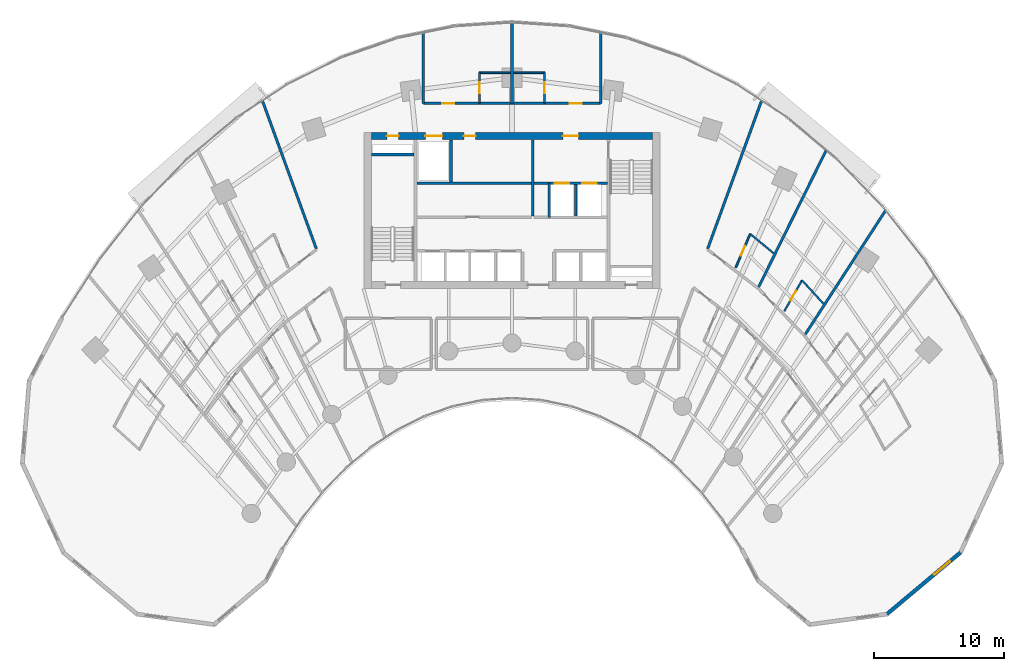
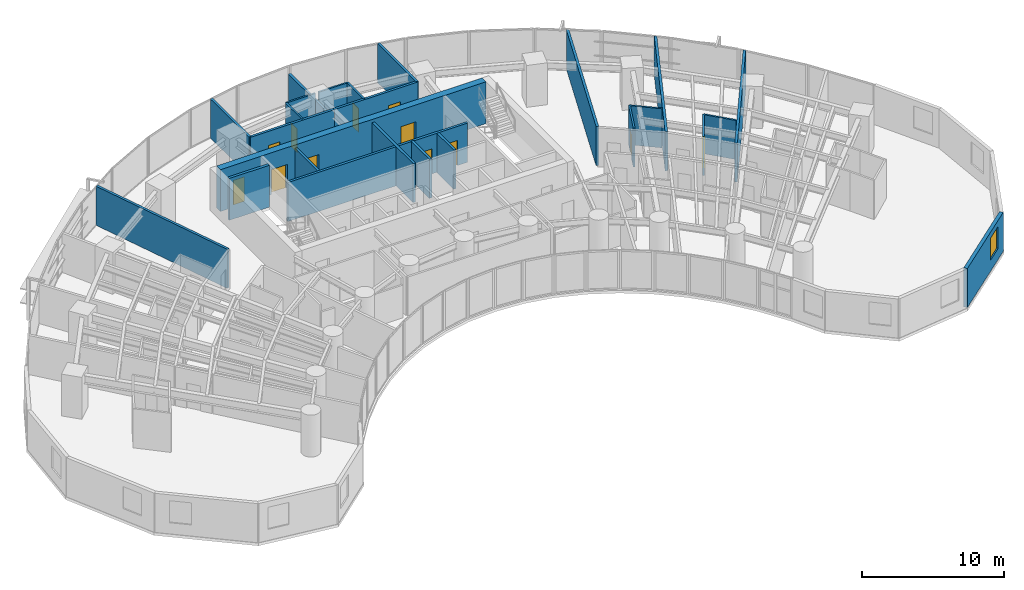
# One storey, part 14 of 18: 26 walls, 12 doors, 1 window, 13 openings.
"""IFC4 building model written with IfcOpenShell, lengths in metres."""

from ifc_helpers import new_model, si_unit, direction, frame, frame_2d, origin, place, context, subcontext, project, spatial, rectangle, extrude, source, transform, mapped, material, layer, layer_set, type_object, type_shapes, element, fill, save


model = new_model("IFC4")

# Units and contexts
model_context = context("Model", 3, precision=1e-05, world=origin(), true_north=direction((0.0, 1.0)))
body_context = subcontext(model_context, "Body", "Model", "MODEL_VIEW")
ifc_project = project(units=[si_unit("LENGTHUNIT", "METRE"), si_unit("AREAUNIT", "SQUARE_METRE"), si_unit("VOLUMEUNIT", "CUBIC_METRE"), si_unit("PLANEANGLEUNIT", "RADIAN"), si_unit("MASSUNIT", "GRAM", prefix="KILO")], contexts=[model_context])

# Site, building, storey
site_placement = place(None, origin())
site = spatial("IfcSite", under=ifc_project, at=site_placement, CompositionType="ELEMENT")
building_placement = place(site_placement, origin())
building = spatial("IfcBuilding", under=site, at=building_placement, Name="Breltana Convention Tower", CompositionType="ELEMENT")
storey_placement = place(building_placement, frame((0.0, 0.0, 35.39990234375)))
storey = spatial("IfcBuildingStorey", under=building, at=storey_placement, Name="L06", CompositionType="ELEMENT", Elevation=35.39990234375)

# Wall, openings, doors
ifc_material_1 = material(Name="Concrete C60/75", Category="concrete")
ifc_layer_1 = layer(ifc_material_1, 0.550048828125, Name="Concrete C60/75")
ifc_layer_set_1 = layer_set([ifc_layer_1], Name="Concrete C60/75")
wall_type_1 = type_object("IfcWallType", Name="SW-CORE-550", PredefinedType="SHEAR", material=ifc_layer_set_1)
shared_shape_1 = source(origin(), body_context, "Body", "SweptSolid", [
    extrude(rectangle(XDim=21.60009765625, YDim=0.550048828125, at=frame_2d((10.800048828125, 0.0))), origin(), (0.0, 0.0, 1.0), 3.60009765625),
])
wall_1_placement = place(storey_placement, frame((37.199951171875, 71.925048828125, 0.0), z_axis=(0.0, 0.0, 1.0), x_axis=(1.0, 0.0, 0.0)))
wall_1 = element("IfcWall", 1, at=wall_1_placement, inside=storey, type_object=wall_type_1, Name="L06 North Core Shear Wall", PredefinedType="SHEAR", context=body_context, shape_type="MappedRepresentation", body=[
    mapped(shared_shape_1, transform((0.0, 0.0, 0.0), scale=1.0)),
])
opening_1_placement = place(wall_1_placement, frame((1.199951171875, 0.0, 0.0)))
opening_1 = element("IfcOpeningElement", 2, at=opening_1_placement, cuts=wall_1, Name="Opening D-18", PredefinedType="OPENING", context=body_context, shape_type="SweptSolid", body=[
    extrude(rectangle(XDim=0.89990234375, YDim=2.10009765625, at=frame_2d((0.449951171875, 1.050048828125))), frame((0.0, 0.28515625, 0.0), z_axis=(0.0, -1.0, 0.0), x_axis=(1.0, 0.0, 0.0)), (0.0, 0.0, 1.0), 0.570068359375),
])
opening_2_placement = place(wall_1_placement, frame((14.699951171875, 0.0, 0.0)))
opening_2 = element("IfcOpeningElement", 3, at=opening_2_placement, cuts=wall_1, Name="Opening D-09", PredefinedType="OPENING", context=body_context, shape_type="SweptSolid", body=[
    extrude(rectangle(XDim=1.199951171875, YDim=2.14990234375, at=frame_2d((0.60009765625, 1.074951171875))), frame((0.0, 0.28515625, 0.0), z_axis=(0.0, -1.0, 0.0), x_axis=(1.0, 0.0, 0.0)), (0.0, 0.0, 1.0), 0.570068359375),
])
opening_3_placement = place(wall_1_placement, frame((4.14990234375, 0.0, 0.0)))
opening_3 = element("IfcOpeningElement", 4, at=opening_3_placement, cuts=wall_1, Name="Opening LD-01", PredefinedType="OPENING", context=body_context, shape_type="SweptSolid", body=[
    extrude(rectangle(XDim=1.300048828125, YDim=2.14990234375, at=frame_2d((0.64990234375, 1.074951171875))), frame((0.0, 0.28515625, 0.0), z_axis=(0.0, -1.0, 0.0), x_axis=(1.0, 0.0, 0.0)), (0.0, 0.0, 1.0), 0.570068359375),
])
opening_4_placement = place(wall_1_placement, frame((7.10009765625, 0.0, 0.0)))
opening_4 = element("IfcOpeningElement", 5, at=opening_4_placement, cuts=wall_1, Name="Opening D-18", PredefinedType="OPENING", context=body_context, shape_type="SweptSolid", body=[
    extrude(rectangle(XDim=0.89990234375, YDim=2.10009765625, at=frame_2d((0.449951171875, 1.050048828125))), frame((0.0, 0.28515625, 0.0), z_axis=(0.0, -1.0, 0.0), x_axis=(1.0, 0.0, 0.0)), (0.0, 0.0, 1.0), 0.570068359375),
])
ifc_material_2 = material(Name="Steel Riser Fire Door", Category="steel")
door_type_1 = type_object("IfcDoorType", Name="DR-FD60-900", OperationType="NOTDEFINED", PredefinedType="DOOR", material=ifc_material_2)
shared_shape_2 = source(origin(), body_context, "Body", "SweptSolid", [
    extrude(rectangle(XDim=0.89990234375, YDim=2.10009765625, at=frame_2d((0.449951171875, 1.050048828125))), frame((0.0, 0.02490234375, 0.0), z_axis=(0.0, -1.0, 0.0), x_axis=(1.0, 0.0, 0.0)), (0.0, 0.0, 1.0), 0.050048828125),
])
type_shapes(door_type_1, [shared_shape_2])
door_1_placement = place(opening_1_placement, origin())
door_1 = element("IfcDoor", 6, at=door_1_placement, inside=storey, type_object=door_type_1, Name="L06 Core Riser Access Door D-L06-RS1", OperationType="SINGLE_SWING_LEFT", OverallHeight=2.10009765625, OverallWidth=0.89990234375, PredefinedType="DOOR", context=body_context, shape_type="MappedRepresentation", body=[
    mapped(shared_shape_2, transform((0.0, 0.0, 0.0), scale=1.0)),
])
fill(opening_1, door_1)
door_2_placement = place(opening_4_placement, origin())
door_2 = element("IfcDoor", 7, at=door_2_placement, inside=storey, type_object=door_type_1, Name="L06 interior door D-L06-CRA1", OperationType="SINGLE_SWING_RIGHT", OverallHeight=2.10009765625, OverallWidth=0.89990234375, PredefinedType="DOOR", context=body_context, shape_type="MappedRepresentation", body=[
    mapped(shared_shape_2, transform((0.0, 0.0, 0.0), scale=1.0)),
])
fill(opening_4, door_2)
ifc_material_3 = material(Name="Steel Fire Lobby Door", Category="steel")
door_type_2 = type_object("IfcDoorType", Name="DR-FD120-1200", OperationType="NOTDEFINED", PredefinedType="DOOR", material=ifc_material_3)
shared_shape_3 = source(origin(), body_context, "Body", "SweptSolid", [
    extrude(rectangle(XDim=1.199951171875, YDim=2.14990234375, at=frame_2d((0.60009765625, 1.074951171875))), frame((0.0, 0.02490234375, 0.0), z_axis=(0.0, -1.0, 0.0), x_axis=(1.0, 0.0, 0.0)), (0.0, 0.0, 1.0), 0.050048828125),
])
type_shapes(door_type_2, [shared_shape_3])
door_3_placement = place(opening_2_placement, origin())
door_3 = element("IfcDoor", 8, at=door_3_placement, inside=storey, type_object=door_type_2, Name="L06 interior door D-L06-FFL-N", OperationType="SINGLE_SWING_RIGHT", OverallHeight=2.14990234375, OverallWidth=1.199951171875, PredefinedType="DOOR", context=body_context, shape_type="MappedRepresentation", body=[
    mapped(shared_shape_3, transform((0.0, 0.0, 0.0), scale=1.0)),
])
fill(opening_2, door_3)
ifc_material_4 = material(Name="Stainless Steel Brushed", Category="steel")
door_type_3 = type_object("IfcDoorType", Name="DR-LD-SRV-1300", OperationType="DOUBLE_DOOR_SLIDING", PredefinedType="DOOR", material=ifc_material_4)
shared_shape_4 = source(origin(), body_context, "Body", "SweptSolid", [
    extrude(rectangle(XDim=1.300048828125, YDim=2.14990234375, at=frame_2d((0.64990234375, 1.074951171875))), frame((0.0, 0.02490234375, 0.0), z_axis=(0.0, -1.0, 0.0), x_axis=(1.0, 0.0, 0.0)), (0.0, 0.0, 1.0), 0.050048828125),
])
type_shapes(door_type_3, [shared_shape_4])
door_4_placement = place(opening_3_placement, origin())
door_4 = element("IfcDoor", 9, at=door_4_placement, inside=storey, type_object=door_type_3, Name="L06 Lift Landing Door D-L06-LD-SV1", OperationType="DOUBLE_DOOR_SLIDING", OverallHeight=2.14990234375, OverallWidth=1.300048828125, PredefinedType="DOOR", context=body_context, shape_type="MappedRepresentation", body=[
    mapped(shared_shape_4, transform((0.0, 0.0, 0.0), scale=1.0)),
])
fill(opening_3, door_4)

# Wall
ifc_material_5 = material(Name="Concrete C50/60", Category="concrete")
ifc_layer_2 = layer(ifc_material_5, 0.39990234375, Name="Concrete C50/60")
ifc_layer_set_2 = layer_set([ifc_layer_2], Name="Concrete C50/60")
wall_type_2 = type_object("IfcWallType", Name="SW-CORE-400", PredefinedType="SHEAR", material=ifc_layer_set_2)
shared_shape_5 = source(origin(), body_context, "Body", "SweptSolid", [
    extrude(rectangle(XDim=3.27001953125, YDim=0.219970703125, at=frame_2d((1.635009765625, 0.0))), origin(), (0.0, 0.0, 1.0), 3.60009765625),
])
wall_2_placement = place(storey_placement, frame((37.199951171875, 70.510009765625, 0.0), z_axis=(0.0, 0.0, 1.0), x_axis=(1.0, 0.0, 0.0)))
element("IfcWall", 10, at=wall_2_placement, inside=storey, type_object=wall_type_2, Name="L06 ST-1 Stairwell North Bearing Wall", PredefinedType="SHEAR", context=body_context, shape_type="MappedRepresentation", body=[
    mapped(shared_shape_5, transform((0.0, 0.0, 0.0), scale=1.0)),
])

# Wall, opening, window
ifc_material_6 = material(Name="Limestone Buff Insulated Wall", Category="masonry")
ifc_layer_3 = layer(ifc_material_6, 0.280029296875, Name="Limestone Buff Insulated Wall")
ifc_layer_set_3 = layer_set([ifc_layer_3], Name="Limestone Buff Insulated Wall")
wall_type_3 = type_object("IfcWallType", Name="WL-EXT-NOSE-280", PredefinedType="SOLIDWALL", material=ifc_layer_set_3)
shared_shape_6 = source(origin(), body_context, "Body", "SweptSolid", [
    extrude(rectangle(XDim=7.35888671875, YDim=0.280029296875, at=frame_2d((3.679443359375, 0.0))), origin(), (0.0, 0.0, 1.0), 3.360107421875),
])
wall_3_placement = place(storey_placement, frame((82.419677734375, 39.950927734375, 0.0), z_axis=(0.0, 0.0, 1.0), x_axis=(-0.766737165543, -0.641961150675, 0.0)))
wall_3 = element("IfcWall", 11, at=wall_3_placement, inside=storey, type_object=wall_type_3, Name="L06 curved limestone nose wall E3", PredefinedType="SOLIDWALL", context=body_context, shape_type="MappedRepresentation", body=[
    mapped(shared_shape_6, transform((0.0, 0.0, 0.0), scale=1.0)),
])
opening_5_placement = place(wall_3_placement, frame((1.039794921875, 0.0, 0.949951171875)))
opening_5 = element("IfcOpeningElement", 12, at=opening_5_placement, cuts=wall_3, Name="Opening W-04", PredefinedType="OPENING", context=body_context, shape_type="SweptSolid", body=[
    extrude(rectangle(XDim=1.60009765625, YDim=1.89990234375, at=frame_2d((0.800048828125, 0.949951171875))), frame((0.0, 0.14990234375, 0.0), z_axis=(0.0, -1.0, 0.0), x_axis=(1.0, 0.0, 0.0)), (0.0, 0.0, 1.0), 0.300048828125),
])
ifc_material_7 = material(Name="Glass Low-E Insulated Window", Category="glass")
window_type = type_object("IfcWindowType", Name="WN-NOSE-1600X1900", PartitioningType="SINGLE_PANEL", PredefinedType="WINDOW", material=ifc_material_7)
shared_shape_7 = source(origin(), body_context, "Body", "SweptSolid", [
    extrude(rectangle(XDim=1.60009765625, YDim=1.89990234375, at=frame_2d((0.800048828125, 0.949951171875))), frame((0.0, 0.030029296875, 0.0), z_axis=(0.0, -1.0, 0.0), x_axis=(1.0, 0.0, 0.0)), (0.0, 0.0, 1.0), 0.06005859375),
])
type_shapes(window_type, [shared_shape_7])
window_placement = place(opening_5_placement, origin())
window = element("IfcWindow", 13, at=window_placement, inside=storey, type_object=window_type, Name="L06 nose window E3", OverallHeight=1.89990234375, OverallWidth=1.60009765625, PartitioningType="SINGLE_PANEL", PredefinedType="WINDOW", context=body_context, shape_type="MappedRepresentation", body=[
    mapped(shared_shape_7, transform((0.0, 0.0, 0.0), scale=1.0)),
])
fill(opening_5, window)

# Wall, openings, doors
ifc_material_8 = material(Name="Autoclaved Aerated Concrete Block", Category="concrete")
ifc_layer_4 = layer(ifc_material_8, 0.199951171875, Name="Autoclaved Aerated Concrete Block")
ifc_layer_set_4 = layer_set([ifc_layer_4], Name="Autoclaved Aerated Concrete Block")
wall_type_4 = type_object("IfcWallType", Name="WL-SHAFT-200", PredefinedType="SOLIDWALL", material=ifc_layer_set_4)
shared_shape_8 = source(origin(), body_context, "Body", "SweptSolid", [
    extrude(rectangle(XDim=5.6201171875, YDim=0.199951171875, at=frame_2d((2.81005859375, 0.0))), origin(), (0.0, 0.0, 1.0), 3.360107421875),
])
wall_4_placement = place(storey_placement, frame((49.699951171875, 68.300048828125, 0.0), z_axis=(0.0, 0.0, 1.0), x_axis=(1.0, 0.0, 0.0)))
wall_4 = element("IfcWall", 14, at=wall_4_placement, inside=storey, type_object=wall_type_4, Name="L06 interior partition W-L06-FFL-S", PredefinedType="SOLIDWALL", context=body_context, shape_type="MappedRepresentation", body=[
    mapped(shared_shape_8, transform((0.0, 0.0, 0.0), scale=1.0)),
])
opening_6_placement = place(wall_4_placement, frame((1.60009765625, 0.0, 0.0)))
opening_6 = element("IfcOpeningElement", 15, at=opening_6_placement, cuts=wall_4, Name="Opening LD-03", PredefinedType="OPENING", context=body_context, shape_type="SweptSolid", body=[
    extrude(rectangle(XDim=1.10009765625, YDim=2.14990234375, at=frame_2d((0.550048828125, 1.074951171875))), frame((0.0, 0.10986328125, 0.0), z_axis=(0.0, -1.0, 0.0), x_axis=(1.0, 0.0, 0.0)), (0.0, 0.0, 1.0), 0.219970703125),
])
opening_7_placement = place(wall_4_placement, frame((3.699951171875, 0.0, 0.0)))
opening_7 = element("IfcOpeningElement", 16, at=opening_7_placement, cuts=wall_4, Name="Opening LD-03", PredefinedType="OPENING", context=body_context, shape_type="SweptSolid", body=[
    extrude(rectangle(XDim=1.10009765625, YDim=2.14990234375, at=frame_2d((0.550048828125, 1.074951171875))), frame((0.0, 0.10986328125, 0.0), z_axis=(0.0, -1.0, 0.0), x_axis=(1.0, 0.0, 0.0)), (0.0, 0.0, 1.0), 0.219970703125),
])
door_type_4 = type_object("IfcDoorType", Name="DR-LD-FF-1100", OperationType="DOUBLE_DOOR_SLIDING", PredefinedType="DOOR", material=ifc_material_4)
shared_shape_9 = source(origin(), body_context, "Body", "SweptSolid", [
    extrude(rectangle(XDim=1.10009765625, YDim=2.14990234375, at=frame_2d((0.550048828125, 1.074951171875))), frame((0.0, 0.02490234375, 0.0), z_axis=(0.0, -1.0, 0.0), x_axis=(1.0, 0.0, 0.0)), (0.0, 0.0, 1.0), 0.050048828125),
])
type_shapes(door_type_4, [shared_shape_9])
door_5_placement = place(opening_6_placement, origin())
door_5 = element("IfcDoor", 17, at=door_5_placement, inside=storey, type_object=door_type_4, Name="L06 Lift Landing Door D-L06-LD-FL1", OperationType="DOUBLE_DOOR_SLIDING", OverallHeight=2.14990234375, OverallWidth=1.10009765625, PredefinedType="DOOR", context=body_context, shape_type="MappedRepresentation", body=[
    mapped(shared_shape_9, transform((0.0, 0.0, 0.0), scale=1.0)),
])
fill(opening_6, door_5)
door_6_placement = place(opening_7_placement, origin())
door_6 = element("IfcDoor", 18, at=door_6_placement, inside=storey, type_object=door_type_4, Name="L06 Lift Landing Door D-L06-LD-FL2", OperationType="DOUBLE_DOOR_SLIDING", OverallHeight=2.14990234375, OverallWidth=1.10009765625, PredefinedType="DOOR", context=body_context, shape_type="MappedRepresentation", body=[
    mapped(shared_shape_9, transform((0.0, 0.0, 0.0), scale=1.0)),
])
fill(opening_7, door_6)

# Walls
shared_shape_10 = source(origin(), body_context, "Body", "SweptSolid", [
    extrude(rectangle(XDim=5.800048828125, YDim=0.199951171875, at=frame_2d((2.89990234375, 0.0))), origin(), (0.0, 0.0, 1.0), 3.360107421875),
])
wall_5_placement = place(storey_placement, frame((49.60009765625, 65.800048828125, 0.0), z_axis=(0.0, 0.0, 1.0), x_axis=(0.0, 1.0, 0.0)))
element("IfcWall", 19, at=wall_5_placement, inside=storey, type_object=wall_type_4, Name="L06 interior partition W-L06-FFL-W", PredefinedType="SOLIDWALL", context=body_context, shape_type="MappedRepresentation", body=[
    mapped(shared_shape_10, transform((0.0, 0.0, 0.0), scale=1.0)),
])
shared_shape_11 = source(origin(), body_context, "Body", "SweptSolid", [
    extrude(rectangle(XDim=2.580078125, YDim=0.199951171875, at=frame_2d((1.2900390625, 0.0))), origin(), (0.0, 0.0, 1.0), 3.360107421875),
])
wall_6_placement = place(storey_placement, frame((50.85009765625, 65.679931640625, 0.0), z_axis=(0.0, 0.0, 1.0), x_axis=(0.0, 1.0, 0.0)))
element("IfcWall", 20, at=wall_6_placement, inside=storey, type_object=wall_type_4, Name="L06 interior partition W-L06-FL-W", PredefinedType="SOLIDWALL", context=body_context, shape_type="MappedRepresentation", body=[
    mapped(shared_shape_11, transform((0.0, 0.0, 0.0), scale=1.0)),
])
shared_shape_12 = source(origin(), body_context, "Body", "SweptSolid", [
    extrude(rectangle(XDim=2.39990234375, YDim=0.199951171875, at=frame_2d((1.199951171875, 0.0))), origin(), (0.0, 0.0, 1.0), 3.360107421875),
])
wall_7_placement = place(storey_placement, frame((52.89990234375, 65.800048828125, 0.0), z_axis=(0.0, 0.0, 1.0), x_axis=(0.0, 1.0, 0.0)))
element("IfcWall", 21, at=wall_7_placement, inside=storey, type_object=wall_type_4, Name="L06 interior partition W-L06-FL-DIV", PredefinedType="SOLIDWALL", context=body_context, shape_type="MappedRepresentation", body=[
    mapped(shared_shape_12, transform((0.0, 0.0, 0.0), scale=1.0)),
])
shared_shape_13 = source(origin(), body_context, "Body", "SweptSolid", [
    extrude(rectangle(XDim=3.2001953125, YDim=0.199951171875, at=frame_2d((1.60009765625, 0.0))), origin(), (0.0, 0.0, 1.0), 3.360107421875),
])
wall_8_placement = place(storey_placement, frame((43.320068359375, 68.39990234375, 0.0), z_axis=(0.0, 0.0, 1.0), x_axis=(0.0, 1.0, 0.0)))
element("IfcWall", 22, at=wall_8_placement, inside=storey, type_object=wall_type_4, Name="L06 interior partition W-L06-SV-E", PredefinedType="SOLIDWALL", context=body_context, shape_type="MappedRepresentation", body=[
    mapped(shared_shape_13, transform((0.0, 0.0, 0.0), scale=1.0)),
])
shared_shape_14 = source(origin(), body_context, "Body", "SweptSolid", [
    extrude(rectangle(XDim=8.800048828125, YDim=0.199951171875, at=frame_2d((4.39990234375, 0.0))), origin(), (0.0, 0.0, 1.0), 3.360107421875),
])
wall_9_placement = place(storey_placement, frame((40.699951171875, 68.300048828125, 0.0), z_axis=(0.0, 0.0, 1.0), x_axis=(1.0, 0.0, 0.0)))
element("IfcWall", 23, at=wall_9_placement, inside=storey, type_object=wall_type_4, Name="L06 interior partition W-L06-SV-S", PredefinedType="SOLIDWALL", context=body_context, shape_type="MappedRepresentation", body=[
    mapped(shared_shape_14, transform((0.0, 0.0, 0.0), scale=1.0)),
])

# Wall, opening, door
ifc_material_9 = material(Name="Gypsum Acoustic Hotel Wall")
ifc_layer_5 = layer(ifc_material_9, 0.195068359375, Name="Gypsum Acoustic Hotel Wall")
ifc_layer_set_5 = layer_set([ifc_layer_5], Name="Gypsum Acoustic Hotel Wall")
wall_type_5 = type_object("IfcWallType", Name="WL-HOTEL-200", PredefinedType="PARTITIONING", material=ifc_layer_set_5)
shared_shape_15 = source(origin(), body_context, "Body", "SweptSolid", [
    extrude(rectangle(XDim=6.800048828125, YDim=0.195068359375, at=frame_2d((3.39990234375, 0.0))), origin(), (0.0, 0.0, 1.0), 3.360107421875),
])
type_shapes(wall_type_5, [shared_shape_15])
wall_10_placement = place(storey_placement, frame((41.199951171875, 74.419921875, 0.0), z_axis=(0.0, 0.0, 1.0), x_axis=(1.0, 0.0, 0.0)))
wall_10 = element("IfcWall", 24, at=wall_10_placement, inside=storey, type_object=wall_type_5, Name="L06 interior partition W-L06-GRN1-S", PredefinedType="PARTITIONING", context=body_context, shape_type="MappedRepresentation", body=[
    mapped(shared_shape_15, transform((0.0, 0.0, 0.0), scale=1.0)),
])
opening_8_placement = place(wall_10_placement, frame((1.428955078125, 0.0, 0.0)))
opening_8 = element("IfcOpeningElement", 25, at=opening_8_placement, cuts=wall_10, Name="Opening D-14", PredefinedType="OPENING", context=body_context, shape_type="SweptSolid", body=[
    extrude(rectangle(XDim=0.949951171875, YDim=2.14990234375, at=frame_2d((0.47509765625, 1.074951171875))), frame((0.0, 0.107421875, 0.0), z_axis=(0.0, -1.0, 0.0), x_axis=(1.0, 0.0, 0.0)), (0.0, 0.0, 1.0), 0.215087890625),
])
ifc_material_10 = material(Name="Timber Solid-Core Fire Door", Category="wood")
door_type_5 = type_object("IfcDoorType", Name="DR-FD60-950", OperationType="NOTDEFINED", PredefinedType="DOOR", material=ifc_material_10)
shared_shape_16 = source(origin(), body_context, "Body", "SweptSolid", [
    extrude(rectangle(XDim=0.949951171875, YDim=2.14990234375, at=frame_2d((0.47509765625, 1.074951171875))), frame((0.0, 0.02490234375, 0.0), z_axis=(0.0, -1.0, 0.0), x_axis=(1.0, 0.0, 0.0)), (0.0, 0.0, 1.0), 0.050048828125),
])
type_shapes(door_type_5, [shared_shape_16])
door_7_placement = place(opening_8_placement, origin())
door_7 = element("IfcDoor", 26, at=door_7_placement, inside=storey, type_object=door_type_5, Name="L06 interior door D-L06-GRN1", OperationType="SINGLE_SWING_LEFT", OverallHeight=2.14990234375, OverallWidth=0.949951171875, PredefinedType="DOOR", context=body_context, shape_type="MappedRepresentation", body=[
    mapped(shared_shape_16, transform((0.0, 0.0, 0.0), scale=1.0)),
])
fill(opening_8, door_7)

wall_11_placement = place(storey_placement, frame((48.0, 74.419921875, 0.0), z_axis=(0.0, 0.0, 1.0), x_axis=(1.0, 0.0, 0.0)))
wall_11 = element("IfcWall", 27, at=wall_11_placement, inside=storey, type_object=wall_type_5, Name="L06 interior partition W-L06-GRN2-S", PredefinedType="PARTITIONING", context=body_context, shape_type="MappedRepresentation", body=[
    mapped(shared_shape_15, transform((0.0, 0.0, 0.0), scale=1.0)),
])
opening_9_placement = place(wall_11_placement, frame((4.4208984375, 0.0, 0.0)))
opening_9 = element("IfcOpeningElement", 28, at=opening_9_placement, cuts=wall_11, Name="Opening D-14", PredefinedType="OPENING", context=body_context, shape_type="SweptSolid", body=[
    extrude(rectangle(XDim=0.949951171875, YDim=2.14990234375, at=frame_2d((0.47509765625, 1.074951171875))), frame((0.0, 0.107421875, 0.0), z_axis=(0.0, -1.0, 0.0), x_axis=(1.0, 0.0, 0.0)), (0.0, 0.0, 1.0), 0.215087890625),
])
door_8_placement = place(opening_9_placement, origin())
door_8 = element("IfcDoor", 29, at=door_8_placement, inside=storey, type_object=door_type_5, Name="L06 interior door D-L06-GRN2", OperationType="SINGLE_SWING_LEFT", OverallHeight=2.14990234375, OverallWidth=0.949951171875, PredefinedType="DOOR", context=body_context, shape_type="MappedRepresentation", body=[
    mapped(shared_shape_16, transform((0.0, 0.0, 0.0), scale=1.0)),
])
fill(opening_9, door_8)

# Walls
shared_shape_17 = source(origin(), body_context, "Body", "SweptSolid", [
    extrude(rectangle(XDim=6.215576171875, YDim=0.195068359375, at=frame_2d((3.10791015625, 0.0))), origin(), (0.0, 0.0, 1.0), 2.64404296875),
])
wall_12_placement = place(storey_placement, frame((48.0, 74.419921875, 0.0), z_axis=(0.0, 0.0, 1.0), x_axis=(0.0, 1.0, 0.0)))
element("IfcWall", 30, at=wall_12_placement, inside=storey, type_object=wall_type_5, Name="L06 interior partition W-L06-GRN-MID", PredefinedType="PARTITIONING", context=body_context, shape_type="MappedRepresentation", body=[
    mapped(shared_shape_17, transform((0.0, 0.0, 0.0), scale=1.0)),
])
shared_shape_18 = source(origin(), body_context, "Body", "SweptSolid", [
    extrude(rectangle(XDim=5.42626953125, YDim=0.195068359375, at=frame_2d((2.713134765625, 0.0))), origin(), (0.0, 0.0, 1.0), 3.360107421875),
])
for number, where, z_axis, x_axis, name in (
    (31, (41.199951171875, 74.419921875, 0.0), (0.0, 0.0, 1.0), (0.0, 1.0, 0.0), "L06 interior partition W-L06-GRN1-SD"),
    (32, (54.800048828125, 74.419921875, 0.0), (0.0, 0.0, 1.0), (0.0, 1.0, 0.0), "L06 interior partition W-L06-GRN2-SD"),
):
    element("IfcWall", number, at=place(storey_placement, frame(where, z_axis=z_axis, x_axis=x_axis)), inside=storey, type_object=wall_type_5, Name=name, PredefinedType="PARTITIONING", context=body_context, shape_type="MappedRepresentation", body=[
        mapped(shared_shape_18, transform((0.0, 0.0, 0.0), scale=1.0)),
    ])
ifc_material_11 = material(Name="Moisture-Resistant En-Suite Partition")
ifc_layer_6 = layer(ifc_material_11, 0.139892578125, Name="Moisture-Resistant En-Suite Partition")
ifc_layer_set_6 = layer_set([ifc_layer_6], Name="Moisture-Resistant En-Suite Partition")
wall_type_6 = type_object("IfcWallType", Name="WL-WET-150", PredefinedType="PARTITIONING", material=ifc_layer_set_6)
shared_shape_19 = source(origin(), body_context, "Body", "SweptSolid", [
    extrude(rectangle(XDim=2.35009765625, YDim=0.139892578125, at=frame_2d((1.175048828125, 0.0))), origin(), (0.0, 0.0, 1.0), 3.360107421875),
])
type_shapes(wall_type_6, [shared_shape_19])
for number, where, z_axis, x_axis, name in (
    (33, (45.5, 76.780029296875, 0.0), (0.0, 0.0, 1.0), (1.0, 0.0, 0.0), "L06 interior partition W-L06-ENSN1-N"),
    (34, (48.14990234375, 76.780029296875, 0.0), (0.0, 0.0, 1.0), (1.0, 0.0, 0.0), "L06 interior partition W-L06-ENSN2-N"),
):
    element("IfcWall", number, at=place(storey_placement, frame(where, z_axis=z_axis, x_axis=x_axis)), inside=storey, type_object=wall_type_6, Name=name, PredefinedType="PARTITIONING", context=body_context, shape_type="MappedRepresentation", body=[
        mapped(shared_shape_19, transform((0.0, 0.0, 0.0), scale=1.0)),
    ])

# Wall, opening, door
shared_shape_20 = source(origin(), body_context, "Body", "SweptSolid", [
    extrude(rectangle(XDim=2.330078125, YDim=0.139892578125, at=frame_2d((1.1650390625, 0.0))), origin(), (0.0, 0.0, 1.0), 3.360107421875),
])
wall_13_placement = place(storey_placement, frame((45.5, 74.449951171875, 0.0), z_axis=(0.0, 0.0, 1.0), x_axis=(0.0, 1.0, 0.0)))
wall_13 = element("IfcWall", 35, at=wall_13_placement, inside=storey, type_object=wall_type_6, Name="L06 interior partition W-L06-ENSN1-SD", PredefinedType="PARTITIONING", context=body_context, shape_type="MappedRepresentation", body=[
    mapped(shared_shape_20, transform((0.0, 0.0, 0.0), scale=1.0)),
])
opening_10_placement = place(wall_13_placement, frame((0.739990234375, 0.0, 0.0)))
opening_10 = element("IfcOpeningElement", 36, at=opening_10_placement, cuts=wall_13, Name="Opening D-21", PredefinedType="OPENING", context=body_context, shape_type="SweptSolid", body=[
    extrude(rectangle(XDim=0.85009765625, YDim=2.050048828125, at=frame_2d((0.425048828125, 1.02490234375))), frame((0.0, 0.080078125, 0.0), z_axis=(0.0, -1.0, 0.0), x_axis=(1.0, 0.0, 0.0)), (0.0, 0.0, 1.0), 0.159912109375),
])
ifc_material_12 = material(Name="Timber Moisture-Resistant En-Suite Door", Category="wood")
door_type_6 = type_object("IfcDoorType", Name="DR-WET-850", OperationType="NOTDEFINED", PredefinedType="DOOR", material=ifc_material_12)
shared_shape_21 = source(origin(), body_context, "Body", "SweptSolid", [
    extrude(rectangle(XDim=0.85009765625, YDim=2.050048828125, at=frame_2d((0.425048828125, 1.02490234375))), frame((0.0, 0.02490234375, 0.0), z_axis=(0.0, -1.0, 0.0), x_axis=(1.0, 0.0, 0.0)), (0.0, 0.0, 1.0), 0.050048828125),
])
type_shapes(door_type_6, [shared_shape_21])
door_9_placement = place(opening_10_placement, origin())
door_9 = element("IfcDoor", 37, at=door_9_placement, inside=storey, type_object=door_type_6, Name="L06 interior door D-L06-ENSN1", OperationType="SINGLE_SWING_RIGHT", OverallHeight=2.050048828125, OverallWidth=0.85009765625, PredefinedType="DOOR", context=body_context, shape_type="MappedRepresentation", body=[
    mapped(shared_shape_21, transform((0.0, 0.0, 0.0), scale=1.0)),
])
fill(opening_10, door_9)

wall_14_placement = place(storey_placement, frame((50.5, 74.449951171875, 0.0), z_axis=(0.0, 0.0, 1.0), x_axis=(0.0, 1.0, 0.0)))
wall_14 = element("IfcWall", 38, at=wall_14_placement, inside=storey, type_object=wall_type_6, Name="L06 interior partition W-L06-ENSN2-SD", PredefinedType="PARTITIONING", context=body_context, shape_type="MappedRepresentation", body=[
    mapped(shared_shape_20, transform((0.0, 0.0, 0.0), scale=1.0)),
])
opening_11_placement = place(wall_14_placement, frame((0.739990234375, 0.0, 0.0)))
opening_11 = element("IfcOpeningElement", 39, at=opening_11_placement, cuts=wall_14, Name="Opening D-21", PredefinedType="OPENING", context=body_context, shape_type="SweptSolid", body=[
    extrude(rectangle(XDim=0.85009765625, YDim=2.050048828125, at=frame_2d((0.425048828125, 1.02490234375))), frame((0.0, 0.080078125, 0.0), z_axis=(0.0, -1.0, 0.0), x_axis=(1.0, 0.0, 0.0)), (0.0, 0.0, 1.0), 0.159912109375),
])
door_10_placement = place(opening_11_placement, origin())
door_10 = element("IfcDoor", 40, at=door_10_placement, inside=storey, type_object=door_type_6, Name="L06 interior door D-L06-ENSN2", OperationType="SINGLE_SWING_RIGHT", OverallHeight=2.050048828125, OverallWidth=0.85009765625, PredefinedType="DOOR", context=body_context, shape_type="MappedRepresentation", body=[
    mapped(shared_shape_21, transform((0.0, 0.0, 0.0), scale=1.0)),
])
fill(opening_11, door_10)

# Walls
shared_shape_22 = source(origin(), body_context, "Body", "SweptSolid", [
    extrude(rectangle(XDim=11.402587890625, YDim=0.195068359375, at=frame_2d((5.701171875, 0.0))), origin(), (0.0, 0.0, 1.0), 3.360107421875),
])
wall_15_placement = place(storey_placement, frame((70.4765625, 56.6474609375, 0.0), z_axis=(0.0, 0.0, 1.0), x_axis=(0.544246090008, 0.838925618581, 0.0)))
element("IfcWall", 41, at=wall_15_placement, inside=storey, type_object=wall_type_5, Name="L06 interior partition W-L06-HK09-RB", PredefinedType="PARTITIONING", context=body_context, shape_type="MappedRepresentation", body=[
    mapped(shared_shape_22, transform((0.0, 0.0, 0.0), scale=1.0)),
])
shared_shape_23 = source(origin(), body_context, "Body", "SweptSolid", [
    extrude(rectangle(XDim=11.769775390625, YDim=0.195068359375, at=frame_2d((5.884765625, 0.0))), origin(), (0.0, 0.0, 1.0), 3.360107421875),
])
wall_16_placement = place(storey_placement, frame((66.909423828125, 60.282470703125, 0.0), z_axis=(0.0, 0.0, 1.0), x_axis=(0.44286060326, 0.896590478468, 0.0)))
element("IfcWall", 42, at=wall_16_placement, inside=storey, type_object=wall_type_5, Name="L06 interior partition W-L06-HK07-RB", PredefinedType="PARTITIONING", context=body_context, shape_type="MappedRepresentation", body=[
    mapped(shared_shape_23, transform((0.0, 0.0, 0.0), scale=1.0)),
])
shared_shape_24 = source(origin(), body_context, "Body", "SweptSolid", [
    extrude(rectangle(XDim=2.415771484375, YDim=0.139892578125, at=frame_2d((1.2080078125, 0.0))), origin(), (0.0, 0.0, 1.0), 3.360107421875),
])
wall_17_placement = place(storey_placement, frame((70.260498046875, 60.845703125, 0.0), z_axis=(0.0, 0.0, 1.0), x_axis=(0.675399637907, -0.737451916476, 0.0)))
element("IfcWall", 43, at=wall_17_placement, inside=storey, type_object=wall_type_6, Name="L06 interior partition W-L06-HK09E-BK", PredefinedType="PARTITIONING", context=body_context, shape_type="MappedRepresentation", body=[
    mapped(shared_shape_24, transform((0.0, 0.0, 0.0), scale=1.0)),
])

# Wall, opening, door
shared_shape_25 = source(origin(), body_context, "Body", "SweptSolid", [
    extrude(rectangle(XDim=2.731689453125, YDim=0.139892578125, at=frame_2d((1.36572265625, 0.0))), origin(), (0.0, 0.0, 1.0), 3.360107421875),
])
wall_18_placement = place(storey_placement, frame((68.902099609375, 58.4755859375, 0.0), z_axis=(0.0, 0.0, 1.0), x_axis=(0.497254966372, 0.867604459658, 0.0)))
wall_18 = element("IfcWall", 44, at=wall_18_placement, inside=storey, type_object=wall_type_6, Name="L06 interior partition W-L06-HK09E-SD", PredefinedType="PARTITIONING", context=body_context, shape_type="MappedRepresentation", body=[
    mapped(shared_shape_25, transform((0.0, 0.0, 0.0), scale=1.0)),
])
opening_12_placement = place(wall_18_placement, frame((0.94091796875, 0.0, 0.0)))
opening_12 = element("IfcOpeningElement", 45, at=opening_12_placement, cuts=wall_18, Name="Opening D-21", PredefinedType="OPENING", context=body_context, shape_type="SweptSolid", body=[
    extrude(rectangle(XDim=0.85009765625, YDim=2.050048828125, at=frame_2d((0.425048828125, 1.02490234375))), frame((0.0, 0.080078125, 0.0), z_axis=(0.0, -1.0, 0.0), x_axis=(1.0, 0.0, 0.0)), (0.0, 0.0, 1.0), 0.159912109375),
])
door_11_placement = place(opening_12_placement, origin())
door_11 = element("IfcDoor", 46, at=door_11_placement, inside=storey, type_object=door_type_6, Name="L06 interior door D-L06-HK09E", OperationType="SINGLE_SWING_RIGHT", OverallHeight=2.050048828125, OverallWidth=0.85009765625, PredefinedType="DOOR", context=body_context, shape_type="MappedRepresentation", body=[
    mapped(shared_shape_21, transform((0.0, 0.0, 0.0), scale=1.0)),
])
fill(opening_12, door_11)

# Walls
shared_shape_26 = source(origin(), body_context, "Body", "SweptSolid", [
    extrude(rectangle(XDim=12.088134765625, YDim=0.195068359375, at=frame_2d((6.0439453125, 0.0))), origin(), (0.0, 0.0, 1.0), 3.360107421875),
])
for number, where, z_axis, x_axis, name in (
    (47, (32.9814453125, 63.26220703125, 0.0), (0.0, 0.0, 1.0), (-0.34203007529, 0.939689005787, 0.0), "L06 interior partition W-L06-HK05-RB"),
    (48, (63.0185546875, 63.26220703125, 0.0), (0.0, 0.0, 1.0), (0.34203007529, 0.939689005787, 0.0), "L06 interior partition W-L06-HK07-RA"),
):
    element("IfcWall", number, at=place(storey_placement, frame(where, z_axis=z_axis, x_axis=x_axis)), inside=storey, type_object=wall_type_5, Name=name, PredefinedType="PARTITIONING", context=body_context, shape_type="MappedRepresentation", body=[
        mapped(shared_shape_26, transform((0.0, 0.0, 0.0), scale=1.0)),
    ])
shared_shape_27 = source(origin(), body_context, "Body", "SweptSolid", [
    extrude(rectangle(XDim=2.324462890625, YDim=0.139892578125, at=frame_2d((1.162109375, 0.0))), origin(), (0.0, 0.0, 1.0), 3.360107421875),
])
wall_19_placement = place(storey_placement, frame((66.285888671875, 64.40673828125, 0.0), z_axis=(0.0, 0.0, 1.0), x_axis=(0.770746444956, -0.637141991701, 0.0)))
element("IfcWall", 49, at=wall_19_placement, inside=storey, type_object=wall_type_6, Name="L06 interior partition W-L06-HK07E-BK", PredefinedType="PARTITIONING", context=body_context, shape_type="MappedRepresentation", body=[
    mapped(shared_shape_27, transform((0.0, 0.0, 0.0), scale=1.0)),
])

# Wall, opening, door
shared_shape_28 = source(origin(), body_context, "Body", "SweptSolid", [
    extrude(rectangle(XDim=2.817626953125, YDim=0.139892578125, at=frame_2d((1.40869140625, 0.0))), origin(), (0.0, 0.0, 1.0), 3.360107421875),
])
wall_20_placement = place(storey_placement, frame((65.17041015625, 61.8193359375, 0.0), z_axis=(0.0, 0.0, 1.0), x_axis=(0.395894859341, 0.918295845764, 0.0)))
wall_20 = element("IfcWall", 50, at=wall_20_placement, inside=storey, type_object=wall_type_6, Name="L06 interior partition W-L06-HK07E-SD", PredefinedType="PARTITIONING", context=body_context, shape_type="MappedRepresentation", body=[
    mapped(shared_shape_28, transform((0.0, 0.0, 0.0), scale=1.0)),
])
opening_13_placement = place(wall_20_placement, frame((0.98388671875, 0.0, 0.0)))
opening_13 = element("IfcOpeningElement", 51, at=opening_13_placement, cuts=wall_20, Name="Opening D-21", PredefinedType="OPENING", context=body_context, shape_type="SweptSolid", body=[
    extrude(rectangle(XDim=0.85009765625, YDim=2.050048828125, at=frame_2d((0.425048828125, 1.02490234375))), frame((0.0, 0.080078125, 0.0), z_axis=(0.0, -1.0, 0.0), x_axis=(1.0, 0.0, 0.0)), (0.0, 0.0, 1.0), 0.159912109375),
])
door_12_placement = place(opening_13_placement, origin())
door_12 = element("IfcDoor", 52, at=door_12_placement, inside=storey, type_object=door_type_6, Name="L06 interior door D-L06-HK07E", OperationType="SINGLE_SWING_RIGHT", OverallHeight=2.050048828125, OverallWidth=0.85009765625, PredefinedType="DOOR", context=body_context, shape_type="MappedRepresentation", body=[
    mapped(shared_shape_21, transform((0.0, 0.0, 0.0), scale=1.0)),
])
fill(opening_13, door_12)

save(model, "model.ifc")
